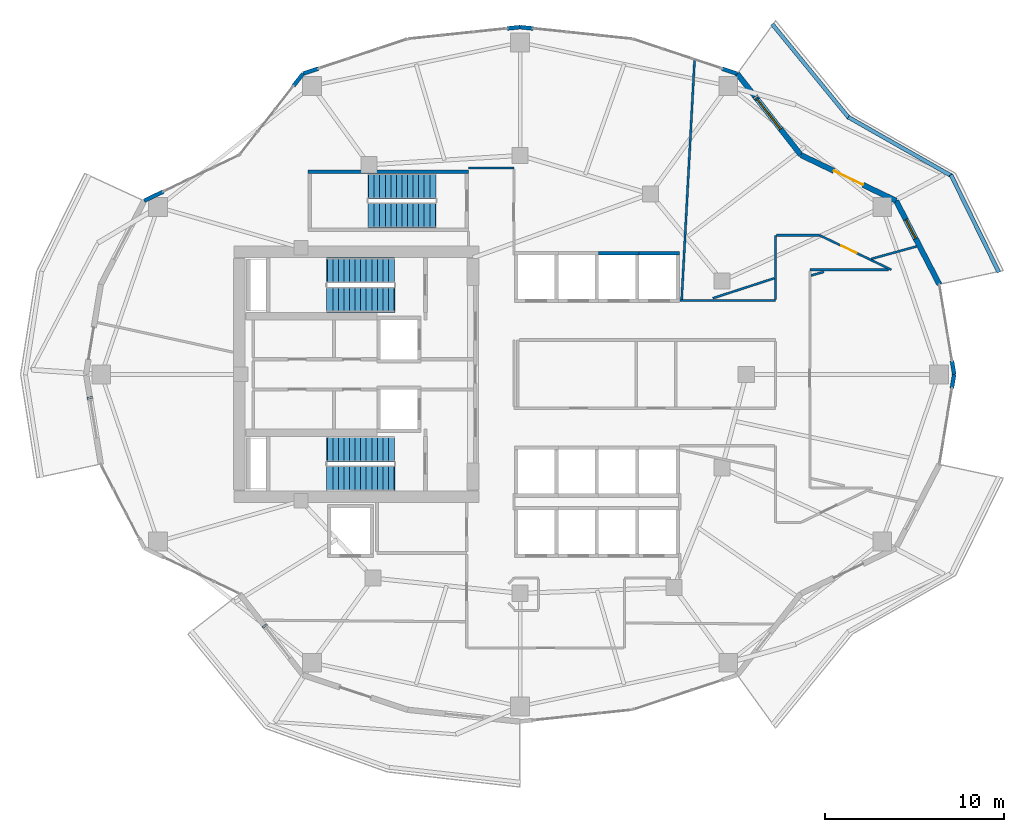
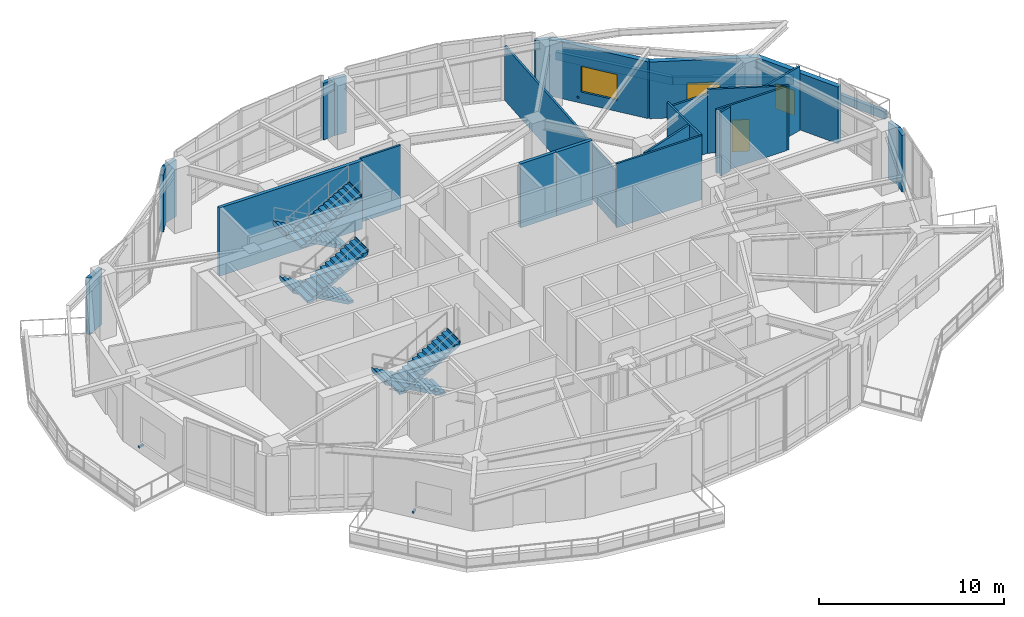
# One storey, part 13 of 16: 27 walls, 6 stair flights, 3 discrete accessories, 2 doors, 2 windows, 4 openings, 3 elements without a shape of their own.
"""IFC4 building model written with IfcOpenShell, lengths in metres."""

from ifc_helpers import new_model, si_unit, direction, frame, frame_2d, origin, origin_2d, place, context, subcontext, project, spatial, polyline, rectangle, outline, extrude, material, layer, layer_set, type_object, element, fill, aggregate, save


model = new_model("IFC4")

# Units and contexts
model_context = context("Model", 3, precision=1e-05, world=origin(), true_north=direction((0.0, 1.0)))
body_context = subcontext(model_context, "Body", "Model", "MODEL_VIEW")
ifc_project = project(units=[si_unit("LENGTHUNIT", "METRE"), si_unit("AREAUNIT", "SQUARE_METRE"), si_unit("VOLUMEUNIT", "CUBIC_METRE"), si_unit("PLANEANGLEUNIT", "RADIAN"), si_unit("MASSUNIT", "GRAM", prefix="KILO")], contexts=[model_context])

# Site, building, storey
site_placement = place(None, origin())
site = spatial("IfcSite", under=ifc_project, at=site_placement, CompositionType="ELEMENT")
building_placement = place(site_placement, origin())
building = spatial("IfcBuilding", under=site, at=building_placement, Name="Kolvaren Gate Tower and Convention Centre", CompositionType="ELEMENT")
storey_placement = place(building_placement, frame((0.0, 0.0, 100.800048828125)))
storey = spatial("IfcBuildingStorey", under=building, at=storey_placement, Name="L24", CompositionType="ELEMENT", Elevation=100.800048828125)

# Walls
ifc_material_1 = material(Name="Fire-Rated Acoustic Gypsum Stud Partition", Category="gypsum")
ifc_layer_1 = layer(ifc_material_1, 0.1201171875)
ifc_layer_set_1 = layer_set([ifc_layer_1], Name="Fire-Rated Acoustic Gypsum Stud Partition")
wall_type_1 = type_object("IfcWallType", Name="ARCH-WL-PART-120", PredefinedType="PARTITIONING", material=ifc_layer_set_1)
wall_1_placement = place(storey_placement, frame((27.25, 38.5, 0.0), z_axis=(0.0, 0.0, 1.0), x_axis=(1.0, 0.0, 0.0)))
element("IfcWall", 1, at=wall_1_placement, inside=storey, type_object=wall_type_1, Name="Interior Partition WL-L24-INT-022", PredefinedType="PARTITIONING", context=body_context, shape_type="SweptSolid", body=[
    extrude(rectangle(XDim=2.530029296875, YDim=0.1201171875, at=frame_2d((1.26513671875, 0.0))), origin(), (0.0, 0.0, 1.0), 4.22998046875),
])
wall_2_placement = place(storey_placement, frame((39.02001953125, 31.1201171875, 0.0), z_axis=(0.0, 0.0, 1.0), x_axis=(1.0, 0.0, 0.0)))
element("IfcWall", 2, at=wall_2_placement, inside=storey, type_object=wall_type_1, Name="Interior Partition WL-L24-INT-026", PredefinedType="PARTITIONING", context=body_context, shape_type="SweptSolid", body=[
    extrude(rectangle(XDim=5.330078125, YDim=0.1201171875, at=frame_2d((2.6650390625, 0.0))), origin(), (0.0, 0.0, 1.0), 4.22998046875),
])
wall_3_placement = place(storey_placement, frame((44.35009765625, 31.181884765625, 0.0), z_axis=(0.0, 0.0, 1.0), x_axis=(0.0, 1.0, 0.0)))
element("IfcWall", 3, at=wall_3_placement, inside=storey, type_object=wall_type_1, Name="Interior Partition WL-L24-INT-029", PredefinedType="PARTITIONING", context=body_context, shape_type="SweptSolid", body=[
    extrude(rectangle(XDim=3.568115234375, YDim=0.1201171875, at=frame_2d((1.7841796875, 0.0))), origin(), (0.0, 0.0, 1.0), 4.22998046875),
])
wall_4_placement = place(storey_placement, frame((44.412109375, 34.75, 0.0), z_axis=(0.0, 0.0, 1.0), x_axis=(1.0, 0.0, 0.0)))
element("IfcWall", 4, at=wall_4_placement, inside=storey, type_object=wall_type_1, Name="Interior Partition WL-L24-INT-030", PredefinedType="PARTITIONING", context=body_context, shape_type="SweptSolid", body=[
    extrude(rectangle(XDim=2.39990234375, YDim=0.1201171875, at=frame_2d((1.199951171875, 0.0))), origin(), (0.0, 0.0, 1.0), 3.911865234375),
])

# Wall, opening, door
wall_5_placement = place(storey_placement, frame((46.81201171875, 34.75, 0.0), z_axis=(0.0, 0.0, 1.0), x_axis=(0.901364880585, -0.433060448492, 0.0)))
wall_5 = element("IfcWall", 5, at=wall_5_placement, inside=storey, type_object=wall_type_1, Name="Interior Partition WL-L24-INT-031", PredefinedType="PARTITIONING", context=body_context, shape_type="SweptSolid", body=[
    extrude(rectangle(XDim=4.433349609375, YDim=0.1201171875, at=frame_2d((2.216796875, 0.0))), origin(), (0.0, 0.0, 1.0), 4.22998046875),
])
opening_1_placement = place(wall_5_placement, frame((1.339599609375, 0.0, 0.0)))
opening_1 = element("IfcOpeningElement", 6, at=opening_1_placement, cuts=wall_5, Name="Opening DR-01", PredefinedType="OPENING", context=body_context, shape_type="SweptSolid", body=[
    extrude(rectangle(XDim=0.949951171875, YDim=2.10009765625, at=frame_2d((0.47509765625, 1.050048828125))), frame((0.0, 0.070068359375, 0.0), z_axis=(0.0, -1.0, 0.0), x_axis=(1.0, 0.0, 0.0)), (0.0, 0.0, 1.0), 0.14013671875),
])
ifc_material_2 = material(Name="Painted Architectural Steelwork ASTM A500 Grade C 345 MPa", Category="steel")
door_type_1 = type_object("IfcDoorType", Name="ARCH-DR-RISER-950", OperationType="SINGLE_SWING_RIGHT", PredefinedType="DOOR", material=ifc_material_2)
door_1_placement = place(opening_1_placement, origin())
door_1 = element("IfcDoor", 7, at=door_1_placement, inside=storey, type_object=door_type_1, Name="Low-Zone Sky Lobby Reception Door", OperationType="SINGLE_SWING_RIGHT", OverallHeight=2.10009765625, OverallWidth=0.949951171875, PredefinedType="DOOR", context=body_context, shape_type="SweptSolid", body=[
    extrude(rectangle(XDim=0.949951171875, YDim=2.10009765625, at=frame_2d((0.47509765625, 1.050048828125))), frame((0.0, 0.02490234375, 0.0), z_axis=(0.0, -1.0, 0.0), x_axis=(1.0, 0.0, 0.0)), (0.0, 0.0, 1.0), 0.050048828125),
])
fill(opening_1, door_1)

# Walls
wall_6_placement = place(storey_placement, frame((46.27001953125, 32.830078125, 0.0), z_axis=(0.0, 0.0, 1.0), x_axis=(1.0, 0.0, 0.0)))
element("IfcWall", 8, at=wall_6_placement, inside=storey, type_object=wall_type_1, Name="Interior Partition WL-L24-INT-032", PredefinedType="PARTITIONING", context=body_context, shape_type="SweptSolid", body=[
    extrude(rectangle(XDim=4.394775390625, YDim=0.1201171875, at=frame_2d((2.197265625, 0.0))), origin(), (0.0, 0.0, 1.0), 4.22998046875),
])
wall_7_placement = place(storey_placement, frame((46.33203125, 32.510009765625, 0.0), z_axis=(0.0, 0.0, 1.0), x_axis=(0.964088084793, 0.265582689119, 0.0)))
element("IfcWall", 9, at=wall_7_placement, inside=storey, type_object=wall_type_1, Name="Interior Partition WL-L24-INT-049", PredefinedType="PARTITIONING", context=body_context, shape_type="SweptSolid", body=[
    extrude(rectangle(XDim=0.74560546875, YDim=0.1201171875, at=frame_2d((0.372802734375, 0.0))), origin(), (0.0, 0.0, 1.0), 4.22998046875),
])
wall_8_placement = place(storey_placement, frame((49.69189453125, 33.43505859375, 0.0), z_axis=(0.0, 0.0, 1.0), x_axis=(0.964126743029, 0.265442316476, 0.0)))
element("IfcWall", 10, at=wall_8_placement, inside=storey, type_object=wall_type_1, Name="Interior Partition WL-L24-INT-050", PredefinedType="PARTITIONING", context=body_context, shape_type="SweptSolid", body=[
    extrude(rectangle(XDim=2.620361328125, YDim=0.1201171875, at=frame_2d((1.31005859375, 0.0))), origin(), (0.0, 0.0, 1.0), 4.22998046875),
])
wall_9_placement = place(storey_placement, frame((40.861572265625, 31.241943359375, 0.0), z_axis=(0.0, 0.0, 1.0), x_axis=(0.951081366657, 0.308940502358, 0.0)))
element("IfcWall", 11, at=wall_9_placement, inside=storey, type_object=wall_type_1, Name="Interior Partition WL-L24-INT-051", PredefinedType="PARTITIONING", context=body_context, shape_type="SweptSolid", body=[
    extrude(rectangle(XDim=3.602783203125, YDim=0.1201171875, at=frame_2d((1.80126953125, 0.0))), origin(), (0.0, 0.0, 1.0), 4.22998046875),
])
wall_10_placement = place(storey_placement, frame((39.127197265625, 31.181884765625, 0.0), z_axis=(0.0, 0.0, 1.0), x_axis=(0.053754103035, 0.998554203039, 0.0)))
element("IfcWall", 12, at=wall_10_placement, inside=storey, type_object=wall_type_1, Name="Interior Partition WL-L24-INT-052", PredefinedType="PARTITIONING", context=body_context, shape_type="SweptSolid", body=[
    extrude(rectangle(XDim=13.357421875, YDim=0.1201171875, at=frame_2d((6.6787109375, 0.0))), origin(), (0.0, 0.0, 1.0), 3.60498046875),
])
ifc_material_3 = material(Name="Bogota Sabana Bush-Hammered Sandstone Cladding", Category="masonry")
ifc_layer_2 = layer(ifc_material_3, 0.219970703125)
ifc_layer_set_2 = layer_set([ifc_layer_2], Name="Bogota Sabana Bush-Hammered Sandstone Cladding")
wall_type_2 = type_object("IfcWallType", Name="ARCH-WL-PIER-220", PredefinedType="SOLIDWALL", material=ifc_layer_set_2)
wall_11_placement = place(storey_placement, frame((54.18603515625, 27.76806640625, 0.0), z_axis=(0.0, 0.0, 1.0), x_axis=(0.162465965887, -0.986714148033, 0.0)))
element("IfcWall", 13, at=wall_11_placement, inside=storey, type_object=wall_type_2, Name="L24 Panoramic Structural Curtain Wall CW-00 Right Column Pier Wrap", PredefinedType="SOLIDWALL", context=body_context, shape_type="SweptSolid", body=[
    extrude(rectangle(XDim=0.7783203125, YDim=0.219970703125, at=frame_2d((0.38916015625, 0.0))), origin(), (0.0, 0.0, 1.0), 3.7529296875),
])
wall_12_placement = place(storey_placement, frame((41.36865234375, 44.039306640625, 0.0), z_axis=(0.0, 0.0, 1.0), x_axis=(0.949227107477, -0.314591637573, 0.0)))
element("IfcWall", 14, at=wall_12_placement, inside=storey, type_object=wall_type_2, Name="L24 Panoramic Structural Curtain Wall CW-04 Right Column Pier Wrap", PredefinedType="SOLIDWALL", context=body_context, shape_type="SweptSolid", body=[
    extrude(rectangle(XDim=0.8955078125, YDim=0.219970703125, at=frame_2d((0.44775390625, 0.0))), origin(), (0.0, 0.0, 1.0), 3.7529296875),
])
wall_13_placement = place(storey_placement, frame((30.125, 46.35009765625, 0.0), z_axis=(0.0, 0.0, 1.0), x_axis=(0.994492602029, -0.104806796106, 0.0)))
element("IfcWall", 15, at=wall_13_placement, inside=storey, type_object=wall_type_2, Name="L24 Panoramic Structural Curtain Wall CW-05 Left Column Pier Wrap", PredefinedType="SOLIDWALL", context=body_context, shape_type="SweptSolid", body=[
    extrude(rectangle(XDim=0.72900390625, YDim=0.219970703125, at=frame_2d((0.364501953125, 0.0))), origin(), (0.0, 0.0, 1.0), 3.7529296875),
])
wall_14_placement = place(storey_placement, frame((29.400146484375, 46.273681640625, 0.0), z_axis=(0.0, 0.0, 1.0), x_axis=(0.994488922087, 0.104841708526, 0.0)))
element("IfcWall", 16, at=wall_14_placement, inside=storey, type_object=wall_type_2, Name="L24 Panoramic Structural Curtain Wall CW-06 Right Column Pier Wrap", PredefinedType="SOLIDWALL", context=body_context, shape_type="SweptSolid", body=[
    extrude(rectangle(XDim=0.728759765625, YDim=0.219970703125, at=frame_2d((0.3642578125, 0.0))), origin(), (0.0, 0.0, 1.0), 3.7529296875),
])
wall_15_placement = place(storey_placement, frame((18.03125, 43.757568359375, 0.0), z_axis=(0.0, 0.0, 1.0), x_axis=(0.949254567626, 0.314508769101, 0.0)))
element("IfcWall", 17, at=wall_15_placement, inside=storey, type_object=wall_type_2, Name="L24 Panoramic Structural Curtain Wall CW-07 Left Column Pier Wrap", PredefinedType="SOLIDWALL", context=body_context, shape_type="SweptSolid", body=[
    extrude(rectangle(XDim=0.89501953125, YDim=0.219970703125, at=frame_2d((0.447509765625, 0.0))), origin(), (0.0, 0.0, 1.0), 3.7529296875),
])
wall_16_placement = place(storey_placement, frame((17.491455078125, 43.06787109375, 0.0), z_axis=(0.0, 0.0, 1.0), x_axis=(0.616330810297, 0.787487353726, 0.0)))
element("IfcWall", 18, at=wall_16_placement, inside=storey, type_object=wall_type_2, Name="L24 Panoramic Structural Curtain Wall CW-08 Right Column Pier Wrap", PredefinedType="SOLIDWALL", context=body_context, shape_type="SweptSolid", body=[
    extrude(rectangle(XDim=0.875732421875, YDim=0.219970703125, at=frame_2d((0.43798828125, 0.0))), origin(), (0.0, 0.0, 1.0), 3.7529296875),
])
wall_17_placement = place(storey_placement, frame((9.177978515625, 36.675048828125, 0.0), z_axis=(0.0, 0.0, 1.0), x_axis=(0.901426247285, 0.432932697664, 0.0)))
element("IfcWall", 19, at=wall_17_placement, inside=storey, type_object=wall_type_2, Name="L24 Panoramic Structural Curtain Wall CW-09 Left Column Pier Wrap", PredefinedType="SOLIDWALL", context=body_context, shape_type="SweptSolid", body=[
    extrude(rectangle(XDim=1.180908203125, YDim=0.219970703125, at=frame_2d((0.59033203125, 0.0))), origin(), (0.0, 0.0, 1.0), 3.7529296875),
])
wall_18_placement = place(storey_placement, frame((54.18603515625, 26.23193359375, 0.0), z_axis=(0.0, 0.0, 1.0), x_axis=(0.162465965887, 0.986714148033, 0.0)))
element("IfcWall", 20, at=wall_18_placement, inside=storey, type_object=wall_type_2, Name="L24 Panoramic Structural Curtain Wall CW-23 Right Column Pier Wrap", PredefinedType="SOLIDWALL", context=body_context, shape_type="SweptSolid", body=[
    extrude(rectangle(XDim=0.7783203125, YDim=0.219970703125, at=frame_2d((0.38916015625, 0.0))), origin(), (0.0, 0.0, 1.0), 3.7529296875),
])
ifc_material_4 = material(Name="Piedmont Cream Honed Limestone Cladding", Category="masonry")
ifc_layer_3 = layer(ifc_material_4, 0.219970703125)
ifc_layer_set_3 = layer_set([ifc_layer_3], Name="Piedmont Cream Honed Limestone Cladding")
wall_type_3 = type_object("IfcWallType", Name="ARCH-WL-PLANTER-220", PredefinedType="PARAPET", material=ifc_layer_set_3)
wall_19_placement = place(storey_placement, frame((54.12890625, 38.12158203125, 0.0), z_axis=(0.0, 0.0, 1.0), x_axis=(0.441269631716, -0.897374566235, 0.0)))
element("IfcWall", 21, at=wall_19_placement, inside=storey, type_object=wall_type_3, Name="Vertical-Forest Balcony Stone Planter Kerb PK-L24-1.1", PredefinedType="PARAPET", context=body_context, shape_type="SweptSolid", body=[
    extrude(rectangle(XDim=6.05615234375, YDim=0.219970703125, at=frame_2d((3.028076171875, 0.0))), origin(), (0.0, 0.0, 1.0), 0.52001953125),
])
wall_20_placement = place(storey_placement, frame((48.41259765625, 41.332275390625, 0.0), z_axis=(0.0, 0.0, 1.0), x_axis=(0.869187658335, -0.494482370361, 0.0)))
element("IfcWall", 22, at=wall_20_placement, inside=storey, type_object=wall_type_3, Name="Vertical-Forest Balcony Stone Planter Kerb PK-L24-1.2", PredefinedType="PARAPET", context=body_context, shape_type="SweptSolid", body=[
    extrude(rectangle(XDim=6.606201171875, YDim=0.219970703125, at=frame_2d((3.30322265625, 0.0))), origin(), (0.0, 0.0, 1.0), 0.52001953125),
])
wall_21_placement = place(storey_placement, frame((44.1669921875, 46.523193359375, 0.0), z_axis=(0.0, 0.0, 1.0), x_axis=(0.633002467947, -0.77414977593, 0.0)))
element("IfcWall", 23, at=wall_21_placement, inside=storey, type_object=wall_type_3, Name="Vertical-Forest Balcony Stone Planter Kerb PK-L24-1.3", PredefinedType="PARAPET", context=body_context, shape_type="SweptSolid", body=[
    extrude(rectangle(XDim=6.7802734375, YDim=0.219970703125, at=frame_2d((3.39013671875, 0.0))), origin(), (0.0, 0.0, 1.0), 0.52001953125),
])
ifc_material_5 = material(Name="Autoclaved Aerated Masonry Blockwork Class 4 (4.0 MPa)", Category="masonry")
ifc_layer_4 = layer(ifc_material_5, 0.199951171875)
ifc_layer_set_4 = layer_set([ifc_layer_4], Name="Autoclaved Aerated Masonry Blockwork Class 4 (4.0 MPa)")
wall_type_4 = type_object("IfcWallType", Name="ARCH-WL-SHAFT-200", PredefinedType="SOLIDWALL", material=ifc_layer_set_4)
for number, where, z_axis, x_axis, name in (
    (24, (34.5, 33.75, 0.0), (0.0, 0.0, 1.0), (1.0, 0.0, 0.0), "Elevator PL-03 L24 Fire Shaft Wall N"),
    (25, (36.75, 33.75, 0.0), (0.0, 0.0, 1.0), (1.0, 0.0, 0.0), "Elevator PL-04 L24 Fire Shaft Wall N"),
):
    element("IfcWall", number, at=place(storey_placement, frame(where, z_axis=z_axis, x_axis=x_axis)), inside=storey, type_object=wall_type_4, Name=name, PredefinedType="SOLIDWALL", context=body_context, shape_type="SweptSolid", body=[
        extrude(rectangle(XDim=2.25, YDim=0.199951171875, at=frame_2d((1.125, 0.0))), origin(), (0.0, 0.0, 1.0), 4.22998046875),
    ])

# Wall, opening, window
ifc_layer_5 = layer(ifc_material_4, 0.300048828125)
ifc_layer_set_5 = layer_set([ifc_layer_5], Name="Piedmont Cream Honed Limestone Cladding")
wall_type_5 = type_object("IfcWallType", Name="ARCH-WL-STONE-300", PredefinedType="SOLIDWALL", material=ifc_layer_set_5)
wall_22_placement = place(storey_placement, frame((51.072021484375, 36.675048828125, 0.0), z_axis=(0.0, 0.0, 1.0), x_axis=(0.459767899643, -0.888039119892, 0.0)))
wall_22 = element("IfcWall", 26, at=wall_22_placement, inside=storey, type_object=wall_type_5, Name="Tower L24 Honed Stone Spandrel Wall EW-01", PredefinedType="SOLIDWALL", context=body_context, shape_type="SweptSolid", body=[
    extrude(rectangle(XDim=5.25537109375, YDim=0.300048828125, at=frame_2d((2.627685546875, 0.0))), origin(), (0.0, 0.0, 1.0), 3.7529296875),
])
opening_2_placement = place(wall_22_placement, frame((1.179931640625, 0.0, 0.719970703125)))
opening_2 = element("IfcOpeningElement", 27, at=opening_2_placement, cuts=wall_22, Name="Opening W-04", PredefinedType="OPENING", context=body_context, shape_type="SweptSolid", body=[
    extrude(rectangle(XDim=1.199951171875, YDim=1.64990234375, at=frame_2d((0.60009765625, 0.824951171875))), frame((0.0, 0.159912109375, 0.0), z_axis=(0.0, -1.0, 0.0), x_axis=(1.0, 0.0, 0.0)), (0.0, 0.0, 1.0), 0.320068359375),
])
ifc_material_6 = material(Name="Low-E Triple Insulated Glazing Unit 44 mm", Category="glass")
window_type_1 = type_object("IfcWindowType", Name="ARCH-WN-NARROW-1200", PartitioningType="SINGLE_PANEL", PredefinedType="WINDOW", material=ifc_material_6)
window_1_placement = place(opening_2_placement, origin())
window_1 = element("IfcWindow", 28, at=window_1_placement, inside=storey, type_object=window_type_1, Name="Tower L24 Punched Stone Facade Window W-01", OverallHeight=1.64990234375, OverallWidth=1.199951171875, PartitioningType="SINGLE_PANEL", PredefinedType="WINDOW", context=body_context, shape_type="SweptSolid", body=[
    extrude(rectangle(XDim=1.199951171875, YDim=1.64990234375, at=frame_2d((0.60009765625, 0.824951171875))), frame((0.0, 0.030029296875, 0.0), z_axis=(0.0, -1.0, 0.0), x_axis=(1.0, 0.0, 0.0)), (0.0, 0.0, 1.0), 0.06005859375),
])
fill(opening_2, window_1)

# Wall, opening, door
wall_23_placement = place(storey_placement, frame((45.768798828125, 39.222900390625, 0.0), z_axis=(0.0, 0.0, 1.0), x_axis=(0.901370184739, -0.433049408339, 0.0)))
wall_23 = element("IfcWall", 29, at=wall_23_placement, inside=storey, type_object=wall_type_5, Name="Tower L24 Honed Stone Spandrel Wall EW-02", PredefinedType="SOLIDWALL", context=body_context, shape_type="SweptSolid", body=[
    extrude(rectangle(XDim=5.883544921875, YDim=0.300048828125, at=frame_2d((2.94189453125, 0.0))), origin(), (0.0, 0.0, 1.0), 3.7529296875),
])
opening_3_placement = place(wall_23_placement, frame((2.0419921875, 0.0, 0.0)))
opening_3 = element("IfcOpeningElement", 30, at=opening_3_placement, cuts=wall_23, Name="Opening DB-01", PredefinedType="OPENING", context=body_context, shape_type="SweptSolid", body=[
    extrude(rectangle(XDim=1.800048828125, YDim=2.25, at=frame_2d((0.89990234375, 1.125))), frame((0.0, 0.159912109375, 0.0), z_axis=(0.0, -1.0, 0.0), x_axis=(1.0, 0.0, 0.0)), (0.0, 0.0, 1.0), 0.320068359375),
])
ifc_material_7 = material(Name="Anodized Architectural Aluminium Alloy 6063-T6", Category="aluminium")
door_type_2 = type_object("IfcDoorType", Name="ARCH-DR-BALC-1800", OperationType="SLIDING_TO_LEFT", PredefinedType="DOOR", material=ifc_material_7)
door_2_placement = place(opening_3_placement, origin())
door_2 = element("IfcDoor", 31, at=door_2_placement, inside=storey, type_object=door_type_2, Name="Planted Sky Terrace Access Door DB-L24-02", OperationType="SLIDING_TO_LEFT", OverallHeight=2.25, OverallWidth=1.800048828125, PredefinedType="DOOR", context=body_context, shape_type="SweptSolid", body=[
    extrude(rectangle(XDim=1.800048828125, YDim=2.25, at=frame_2d((0.89990234375, 1.125))), frame((0.0, 0.02490234375, 0.0), z_axis=(0.0, -1.0, 0.0), x_axis=(1.0, 0.0, 0.0)), (0.0, 0.0, 1.0), 0.050048828125),
])
fill(opening_3, door_2)

# Wall, opening, window
wall_24_placement = place(storey_placement, frame((42.21875, 43.757568359375, 0.0), z_axis=(0.0, 0.0, 1.0), x_axis=(0.616435134162, -0.787405693001, 0.0)))
wall_24 = element("IfcWall", 32, at=wall_24_placement, inside=storey, type_object=wall_type_5, Name="Tower L24 Honed Stone Spandrel Wall EW-03", PredefinedType="SOLIDWALL", context=body_context, shape_type="SweptSolid", body=[
    extrude(rectangle(XDim=5.759033203125, YDim=0.300048828125, at=frame_2d((2.87939453125, 0.0))), origin(), (0.0, 0.0, 1.0), 3.7529296875),
])
opening_4_placement = place(wall_24_placement, frame((1.8291015625, 0.0, 0.739990234375)))
opening_4 = element("IfcOpeningElement", 33, at=opening_4_placement, cuts=wall_24, Name="Opening W-02", PredefinedType="OPENING", context=body_context, shape_type="SweptSolid", body=[
    extrude(rectangle(XDim=2.10009765625, YDim=1.699951171875, at=frame_2d((1.050048828125, 0.85009765625))), frame((0.0, 0.159912109375, 0.0), z_axis=(0.0, -1.0, 0.0), x_axis=(1.0, 0.0, 0.0)), (0.0, 0.0, 1.0), 0.320068359375),
])
window_type_2 = type_object("IfcWindowType", Name="ARCH-WN-HTL-2100", PartitioningType="SINGLE_PANEL", PredefinedType="WINDOW", material=ifc_material_6)
window_2_placement = place(opening_4_placement, origin())
window_2 = element("IfcWindow", 34, at=window_2_placement, inside=storey, type_object=window_type_2, Name="Tower L24 Punched Stone Facade Window W-03", OverallHeight=1.699951171875, OverallWidth=2.10009765625, PartitioningType="SINGLE_PANEL", PredefinedType="WINDOW", context=body_context, shape_type="SweptSolid", body=[
    extrude(rectangle(XDim=2.10009765625, YDim=1.699951171875, at=frame_2d((1.050048828125, 0.85009765625))), frame((0.0, 0.030029296875, 0.0), z_axis=(0.0, -1.0, 0.0), x_axis=(1.0, 0.0, 0.0)), (0.0, 0.0, 1.0), 0.06005859375),
])
fill(opening_4, window_2)

# Wall
ifc_material_8 = material(Name="Concrete C50/60", Category="concrete")
ifc_layer_6 = layer(ifc_material_8, 0.199951171875)
ifc_layer_set_6 = layer_set([ifc_layer_6], Name="Concrete C50/60")
wall_type_6 = type_object("IfcWallType", Name="STR-WL-SHAFT-200", PredefinedType="SHEAR", material=ifc_layer_set_6)
wall_25_placement = place(storey_placement, frame((18.300048828125, 38.300048828125, -0.280029296875), z_axis=(0.0, 0.0, 1.0), x_axis=(1.0, 0.0, 0.0)))
element("IfcWall", 35, at=wall_25_placement, inside=storey, type_object=wall_type_6, Name="Tower Mid-Zone Exit Stair ST-T3 L24 Structural Shear Enclosure Wall LEFT", PredefinedType="SHEAR", context=body_context, shape_type="SweptSolid", body=[
    extrude(rectangle(XDim=8.949951171875, YDim=0.199951171875, at=frame_2d((4.47509765625, 0.0))), origin(), (0.0, 0.0, 1.0), 4.510009765625),
])

# Stair, stair flights
stair_type = type_object("IfcStairType", Name="STR-STAIR-CORE", PredefinedType="HALF_TURN_STAIR", material=ifc_material_8)
stair_1_placement = place(storey_placement, origin())
stair_1 = element("IfcStair", 36, at=stair_1_placement, inside=storey, type_object=stair_type, Name="L24 Tower North Exit Stair ST-T1", PredefinedType="HALF_TURN_STAIR")
stair_flight_type = type_object("IfcStairFlightType", Name="STR-SFL-1420", PredefinedType="STRAIGHT", material=ifc_material_8)
stair_flight_1_placement = place(storey_placement, frame((23.10009765625, 32.7900390625, 0.0), z_axis=(0.0, 0.0, 1.0), x_axis=(-1.0, 0.0, 0.0)))
stair_flight_1 = element("IfcStairFlight", 37, at=stair_flight_1_placement, type_object=stair_flight_type, Name="ST-T1 flight 1", NumberOfRisers=13, NumberOfTreads=12, PredefinedType="STRAIGHT", RiserHeight=0.173076923, TreadLength=0.31, context=body_context, shape_type="SweptSolid", body=[
    extrude(outline(polyline([(-0.034912109375, 0.0), (-0.034912109375, 0.173095703125), (0.31005859375, 0.173095703125), (0.31005859375, 0.34619140625), (0.6201171875, 0.34619140625), (0.6201171875, 0.519287109375), (0.929931640625, 0.519287109375), (0.929931640625, 0.6923828125), (1.239990234375, 0.6923828125), (1.239990234375, 0.865478515625), (1.550048828125, 0.865478515625), (1.550048828125, 1.03857421875), (1.860107421875, 1.03857421875), (1.860107421875, 1.21142578125), (2.169921875, 1.21142578125), (2.169921875, 1.384521484375), (2.47998046875, 1.384521484375), (2.47998046875, 1.5576171875), (2.7900390625, 1.5576171875), (2.7900390625, 1.730712890625), (3.10009765625, 1.730712890625), (3.10009765625, 1.90380859375), (3.409912109375, 1.90380859375), (3.409912109375, 2.076904296875), (3.719970703125, 2.076904296875), (3.719970703125, 2.25), (3.764892578125, 2.25), (3.764892578125, 2.090087890625), (3.719970703125, 1.9052734375), (0.3076171875, 0.0), (-0.034912109375, 0.0)])), frame((0.0, 0.7099609375, 0.0), z_axis=(0.0, -1.0, 0.0), x_axis=(1.0, 0.0, 0.0)), (0.0, 0.0, 1.0), 1.419921875),
])
stair_flight_2_placement = place(storey_placement, frame((19.3798828125, 31.169921875, 2.25), z_axis=(0.0, 0.0, 1.0), x_axis=(1.0, 0.0, 0.0)))
stair_flight_2 = element("IfcStairFlight", 38, at=stair_flight_2_placement, type_object=stair_flight_type, Name="ST-T1 flight 2", NumberOfRisers=13, NumberOfTreads=12, PredefinedType="STRAIGHT", RiserHeight=0.173076923, TreadLength=0.31, context=body_context, shape_type="SweptSolid", body=[
    extrude(outline(polyline([(-0.034912109375, 0.0), (-0.034912109375, 0.173095703125), (0.31005859375, 0.173095703125), (0.31005859375, 0.34619140625), (0.6201171875, 0.34619140625), (0.6201171875, 0.519287109375), (0.929931640625, 0.519287109375), (0.929931640625, 0.6923828125), (1.239990234375, 0.6923828125), (1.239990234375, 0.865478515625), (1.550048828125, 0.865478515625), (1.550048828125, 1.03857421875), (1.860107421875, 1.03857421875), (1.860107421875, 1.21142578125), (2.169921875, 1.21142578125), (2.169921875, 1.384521484375), (2.47998046875, 1.384521484375), (2.47998046875, 1.5576171875), (2.7900390625, 1.5576171875), (2.7900390625, 1.730712890625), (3.10009765625, 1.730712890625), (3.10009765625, 1.90380859375), (3.409912109375, 1.90380859375), (3.409912109375, 2.076904296875), (3.719970703125, 2.076904296875), (3.719970703125, 2.25), (3.764892578125, 2.25), (3.764892578125, 2.090087890625), (3.719970703125, 1.9052734375), (0.3076171875, 0.0), (-0.034912109375, 0.0)])), frame((0.0, 0.7099609375, 0.0), z_axis=(0.0, -1.0, 0.0), x_axis=(1.0, 0.0, 0.0)), (0.0, 0.0, 1.0), 1.419921875),
])
aggregate(stair_1, [stair_flight_1, stair_flight_2])

stair_2_placement = place(storey_placement, origin())
stair_2 = element("IfcStair", 39, at=stair_2_placement, inside=storey, type_object=stair_type, Name="L24 Tower South Exit Stair ST-T2", PredefinedType="HALF_TURN_STAIR")
stair_flight_3_placement = place(storey_placement, frame((23.10009765625, 22.830078125, 0.0), z_axis=(0.0, 0.0, 1.0), x_axis=(-1.0, 0.0, 0.0)))
stair_flight_3 = element("IfcStairFlight", 40, at=stair_flight_3_placement, type_object=stair_flight_type, Name="ST-T2 flight 1", NumberOfRisers=13, NumberOfTreads=12, PredefinedType="STRAIGHT", RiserHeight=0.173076923, TreadLength=0.31, context=body_context, shape_type="SweptSolid", body=[
    extrude(outline(polyline([(-0.034912109375, 0.0), (-0.034912109375, 0.173095703125), (0.31005859375, 0.173095703125), (0.31005859375, 0.34619140625), (0.6201171875, 0.34619140625), (0.6201171875, 0.519287109375), (0.929931640625, 0.519287109375), (0.929931640625, 0.6923828125), (1.239990234375, 0.6923828125), (1.239990234375, 0.865478515625), (1.550048828125, 0.865478515625), (1.550048828125, 1.03857421875), (1.860107421875, 1.03857421875), (1.860107421875, 1.21142578125), (2.169921875, 1.21142578125), (2.169921875, 1.384521484375), (2.47998046875, 1.384521484375), (2.47998046875, 1.5576171875), (2.7900390625, 1.5576171875), (2.7900390625, 1.730712890625), (3.10009765625, 1.730712890625), (3.10009765625, 1.90380859375), (3.409912109375, 1.90380859375), (3.409912109375, 2.076904296875), (3.719970703125, 2.076904296875), (3.719970703125, 2.25), (3.764892578125, 2.25), (3.764892578125, 2.090087890625), (3.719970703125, 1.9052734375), (0.3076171875, 0.0), (-0.034912109375, 0.0)])), frame((0.0, 0.7099609375, 0.0), z_axis=(0.0, -1.0, 0.0), x_axis=(1.0, 0.0, 0.0)), (0.0, 0.0, 1.0), 1.419921875),
])
stair_flight_4_placement = place(storey_placement, frame((19.3798828125, 21.2099609375, 2.25), z_axis=(0.0, 0.0, 1.0), x_axis=(1.0, 0.0, 0.0)))
stair_flight_4 = element("IfcStairFlight", 41, at=stair_flight_4_placement, type_object=stair_flight_type, Name="ST-T2 flight 2", NumberOfRisers=13, NumberOfTreads=12, PredefinedType="STRAIGHT", RiserHeight=0.173076923, TreadLength=0.31, context=body_context, shape_type="SweptSolid", body=[
    extrude(outline(polyline([(-0.034912109375, 0.0), (-0.034912109375, 0.173095703125), (0.31005859375, 0.173095703125), (0.31005859375, 0.34619140625), (0.6201171875, 0.34619140625), (0.6201171875, 0.519287109375), (0.929931640625, 0.519287109375), (0.929931640625, 0.6923828125), (1.239990234375, 0.6923828125), (1.239990234375, 0.865478515625), (1.550048828125, 0.865478515625), (1.550048828125, 1.03857421875), (1.860107421875, 1.03857421875), (1.860107421875, 1.21142578125), (2.169921875, 1.21142578125), (2.169921875, 1.384521484375), (2.47998046875, 1.384521484375), (2.47998046875, 1.5576171875), (2.7900390625, 1.5576171875), (2.7900390625, 1.730712890625), (3.10009765625, 1.730712890625), (3.10009765625, 1.90380859375), (3.409912109375, 1.90380859375), (3.409912109375, 2.076904296875), (3.719970703125, 2.076904296875), (3.719970703125, 2.25), (3.764892578125, 2.25), (3.764892578125, 2.090087890625), (3.719970703125, 1.9052734375), (0.3076171875, 0.0), (-0.034912109375, 0.0)])), frame((0.0, 0.7099609375, 0.0), z_axis=(0.0, -1.0, 0.0), x_axis=(1.0, 0.0, 0.0)), (0.0, 0.0, 1.0), 1.419921875),
])
aggregate(stair_2, [stair_flight_3, stair_flight_4])

stair_3_placement = place(storey_placement, origin())
stair_3 = element("IfcStair", 42, at=stair_3_placement, inside=storey, type_object=stair_type, Name="L24 Tower Mid-Zone Exit Stair ST-T3", PredefinedType="HALF_TURN_STAIR")
stair_flight_5_placement = place(storey_placement, frame((25.39990234375, 37.489990234375, 0.0), z_axis=(0.0, 0.0, 1.0), x_axis=(-1.0, 0.0, 0.0)))
stair_flight_5 = element("IfcStairFlight", 43, at=stair_flight_5_placement, type_object=stair_flight_type, Name="ST-T3 flight 1", NumberOfRisers=13, NumberOfTreads=12, PredefinedType="STRAIGHT", RiserHeight=0.173076923, TreadLength=0.31, context=body_context, shape_type="SweptSolid", body=[
    extrude(outline(polyline([(-0.034912109375, 0.0), (-0.034912109375, 0.173095703125), (0.31005859375, 0.173095703125), (0.31005859375, 0.34619140625), (0.6201171875, 0.34619140625), (0.6201171875, 0.519287109375), (0.929931640625, 0.519287109375), (0.929931640625, 0.6923828125), (1.239990234375, 0.6923828125), (1.239990234375, 0.865478515625), (1.550048828125, 0.865478515625), (1.550048828125, 1.03857421875), (1.860107421875, 1.03857421875), (1.860107421875, 1.21142578125), (2.169921875, 1.21142578125), (2.169921875, 1.384521484375), (2.47998046875, 1.384521484375), (2.47998046875, 1.5576171875), (2.7900390625, 1.5576171875), (2.7900390625, 1.730712890625), (3.10009765625, 1.730712890625), (3.10009765625, 1.90380859375), (3.409912109375, 1.90380859375), (3.409912109375, 2.076904296875), (3.719970703125, 2.076904296875), (3.719970703125, 2.25), (3.764892578125, 2.25), (3.764892578125, 2.090087890625), (3.719970703125, 1.9052734375), (0.3076171875, 0.0), (-0.034912109375, 0.0)])), frame((0.0, 0.7099609375, 0.0), z_axis=(0.0, -1.0, 0.0), x_axis=(1.0, 0.0, 0.0)), (0.0, 0.0, 1.0), 1.419921875),
])
stair_flight_6_placement = place(storey_placement, frame((21.679931640625, 35.8701171875, 2.25), z_axis=(0.0, 0.0, 1.0), x_axis=(1.0, 0.0, 0.0)))
stair_flight_6 = element("IfcStairFlight", 44, at=stair_flight_6_placement, type_object=stair_flight_type, Name="ST-T3 flight 2", NumberOfRisers=13, NumberOfTreads=12, PredefinedType="STRAIGHT", RiserHeight=0.173076923, TreadLength=0.31, context=body_context, shape_type="SweptSolid", body=[
    extrude(outline(polyline([(-0.034912109375, 0.0), (-0.034912109375, 0.173095703125), (0.31005859375, 0.173095703125), (0.31005859375, 0.34619140625), (0.6201171875, 0.34619140625), (0.6201171875, 0.519287109375), (0.929931640625, 0.519287109375), (0.929931640625, 0.6923828125), (1.239990234375, 0.6923828125), (1.239990234375, 0.865478515625), (1.550048828125, 0.865478515625), (1.550048828125, 1.03857421875), (1.860107421875, 1.03857421875), (1.860107421875, 1.21142578125), (2.169921875, 1.21142578125), (2.169921875, 1.384521484375), (2.47998046875, 1.384521484375), (2.47998046875, 1.5576171875), (2.7900390625, 1.5576171875), (2.7900390625, 1.730712890625), (3.10009765625, 1.730712890625), (3.10009765625, 1.90380859375), (3.409912109375, 1.90380859375), (3.409912109375, 2.076904296875), (3.719970703125, 2.076904296875), (3.719970703125, 2.25), (3.764892578125, 2.25), (3.764892578125, 2.090087890625), (3.719970703125, 1.9052734375), (0.3076171875, 0.0), (-0.034912109375, 0.0)])), frame((0.0, 0.7099609375, 0.0), z_axis=(0.0, -1.0, 0.0), x_axis=(1.0, 0.0, 0.0)), (0.0, 0.0, 1.0), 1.419921875),
])
aggregate(stair_3, [stair_flight_5, stair_flight_6])

# Discrete accessories
discrete_accessory_type = type_object("IfcDiscreteAccessoryType", Name="ARCH-ACC-BRACKET-120", PredefinedType="BRACKET", material=ifc_material_7)
for number, where, z_axis, x_axis, name in (
    (45, (43.24755859375, 42.443359375, 0.289794921875), (0.0, 0.0, 1.0), (0.616424499081, -0.787414018756, 0.0), "Ceramic Fin Wall Anchor Bracket FBK-L24-03"),
    (46, (6.1533203125, 25.689697265625, 0.289794921875), (0.0, 0.0, 1.0), (0.162389178836, -0.986726788223, 0.0), "Ceramic Fin Wall Anchor Bracket FBK-L24-12"),
    (47, (15.892822265625, 12.973876953125, 0.289794921875), (0.0, 0.0, 1.0), (0.616424499081, -0.787414018756, 0.0), "Ceramic Fin Wall Anchor Bracket FBK-L24-15"),
):
    element("IfcDiscreteAccessory", number, at=place(storey_placement, frame(where, z_axis=z_axis, x_axis=x_axis)), inside=storey, type_object=discrete_accessory_type, Name=name, PredefinedType="BRACKET", context=body_context, shape_type="SweptSolid", body=[
        extrude(rectangle(XDim=0.1201171875, YDim=0.320068359375, at=origin_2d()), origin(), (0.0, 0.0, 1.0), 0.1201171875),
    ])

save(model, "model.ifc")
